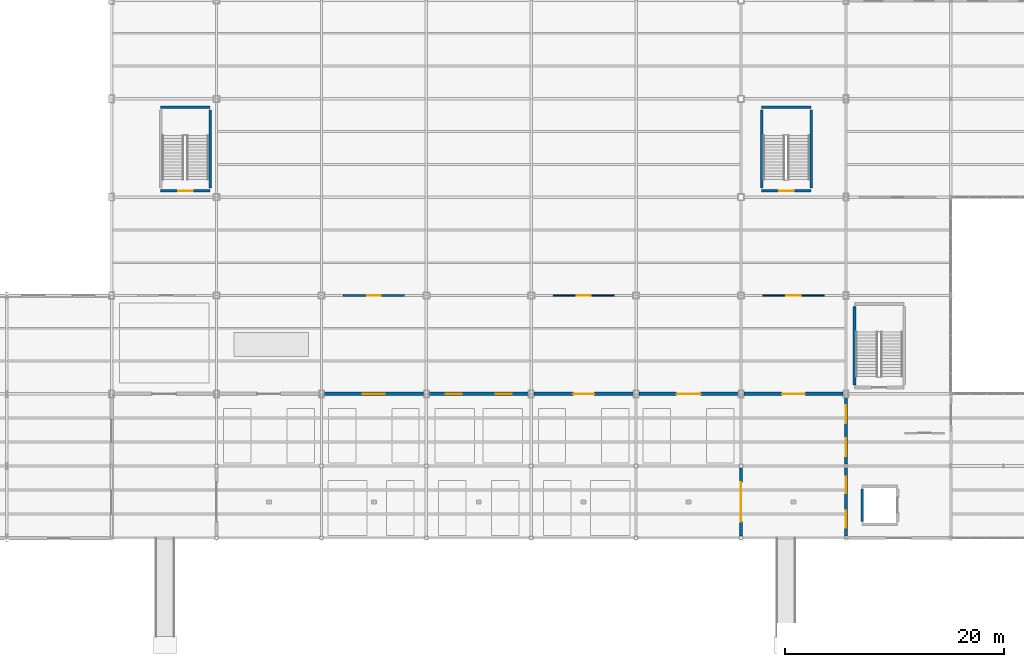
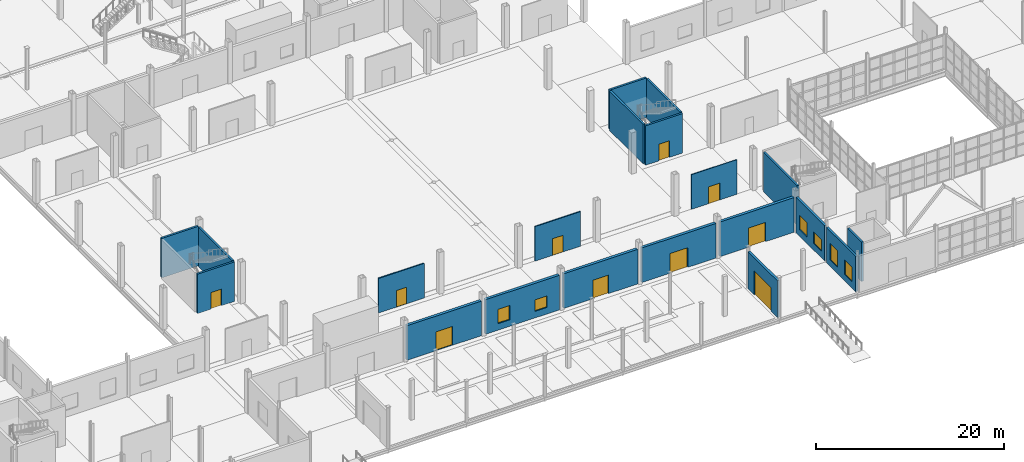
# One storey, part 68 of 85: 20 walls, 10 doors, 6 windows, 16 openings.
"""IFC4 building model written with IfcOpenShell, lengths in metres."""

from ifc_helpers import new_model, si_unit, direction, frame, frame_2d, origin, place, context, subcontext, project, spatial, rectangle, extrude, material, layer, layer_set, type_object, element, fill, save


model = new_model("IFC4")

# Units and contexts
model_context = context("Model", 3, precision=1e-05, world=origin(), true_north=direction((0.0, 1.0)))
body_context = subcontext(model_context, "Body", "Model", "MODEL_VIEW")
ifc_project = project(units=[si_unit("LENGTHUNIT", "METRE"), si_unit("AREAUNIT", "SQUARE_METRE"), si_unit("VOLUMEUNIT", "CUBIC_METRE"), si_unit("PLANEANGLEUNIT", "RADIAN"), si_unit("MASSUNIT", "GRAM", prefix="KILO")], contexts=[model_context])

# Site, building, storey
site_placement = place(None, origin())
site = spatial("IfcSite", under=ifc_project, at=site_placement, CompositionType="ELEMENT")
building_placement = place(site_placement, origin())
building = spatial("IfcBuilding", under=site, at=building_placement, Name="Zarnetskaya Central Station", CompositionType="ELEMENT")
storey_placement = place(building_placement, origin())
storey = spatial("IfcBuildingStorey", under=building, at=storey_placement, Name="L00", CompositionType="ELEMENT", Elevation=0.0)

# Wall, opening, door
ifc_material_1 = material(Name="Gypsum acoustic partition")
ifc_layer_1 = layer(ifc_material_1, 0.14501953125, Name="Gypsum acoustic partition")
ifc_layer_set_1 = layer_set([ifc_layer_1], Name="Gypsum acoustic partition")
wall_type_1 = type_object("IfcWallType", Name="PART-HALL-145", PredefinedType="PARTITIONING", material=ifc_layer_set_1)
wall_1_placement = place(storey_placement, frame((78.800048828125, 22.199951171875, 0.0), z_axis=(0.0, 0.0, 1.0), x_axis=(1.0, 0.0, 0.0)))
wall_1 = element("IfcWall", 1, at=wall_1_placement, inside=storey, type_object=wall_type_1, Name="Interior partition IPRT-L00-0384", PredefinedType="PARTITIONING", context=body_context, shape_type="SweptSolid", body=[
    extrude(rectangle(XDim=5.599853515625, YDim=0.14501953125, at=frame_2d((2.7998046875, 0.0))), origin(), (0.0, 0.0, 1.0), 4.489990234375),
])
opening_1_placement = place(wall_1_placement, frame((2.175048828125, 0.0, 0.0)))
opening_1 = element("IfcOpeningElement", 2, at=opening_1_placement, cuts=wall_1, Name="Opening DR-11", PredefinedType="OPENING", context=body_context, shape_type="SweptSolid", body=[
    extrude(rectangle(XDim=1.25, YDim=2.159912109375, at=frame_2d((0.625, 1.080078125))), frame((0.0, 0.08251953125, 0.0), z_axis=(0.0, -1.0, 0.0), x_axis=(1.0, 0.0, 0.0)), (0.0, 0.0, 1.0), 0.1650390625),
])
ifc_material_2 = material(Name="Anodised aluminium", Category="aluminium")
door_type_1 = type_object("IfcDoorType", Name="DR-INT-10", OperationType="NOTDEFINED", PredefinedType="DOOR", material=ifc_material_2)
door_1_placement = place(opening_1_placement, origin())
door_1 = element("IfcDoor", 3, at=door_1_placement, inside=storey, type_object=door_type_1, Name="South Eaves Intercity Ticket Hall door", OperationType="SINGLE_SWING_RIGHT", OverallHeight=2.159912109375, OverallWidth=1.25, PredefinedType="DOOR", context=body_context, shape_type="SweptSolid", body=[
    extrude(rectangle(XDim=1.25, YDim=2.159912109375, at=frame_2d((0.625, 1.080078125))), frame((0.0, 0.02490234375, 0.0), z_axis=(0.0, -1.0, 0.0), x_axis=(1.0, 0.0, 0.0)), (0.0, 0.0, 1.0), 0.050048828125),
])
fill(opening_1, door_1)

ifc_material_3 = material(Name="Gypsum stud partition")
ifc_layer_2 = layer(ifc_material_3, 0.10009765625, Name="Gypsum stud partition")
ifc_layer_set_2 = layer_set([ifc_layer_2], Name="Gypsum stud partition")
wall_type_2 = type_object("IfcWallType", Name="PART-LGT-100", PredefinedType="PARTITIONING", material=ifc_layer_set_2)
wall_2_placement = place(storey_placement, frame((117.199951171875, 22.199951171875, 0.0), z_axis=(0.0, 0.0, 1.0), x_axis=(1.0, 0.0, 0.0)))
wall_2 = element("IfcWall", 4, at=wall_2_placement, inside=storey, type_object=wall_type_2, Name="Interior partition IPRT-L00-0386", PredefinedType="PARTITIONING", context=body_context, shape_type="SweptSolid", body=[
    extrude(rectangle(XDim=5.60009765625, YDim=0.10009765625, at=frame_2d((2.800048828125, 0.0))), origin(), (0.0, 0.0, 1.0), 4.489990234375),
])
opening_2_placement = place(wall_2_placement, frame((2.1201171875, 0.0, 0.0)))
opening_2 = element("IfcOpeningElement", 5, at=opening_2_placement, cuts=wall_2, Name="Opening DR-08", PredefinedType="OPENING", context=body_context, shape_type="SweptSolid", body=[
    extrude(rectangle(XDim=1.360107421875, YDim=2.179931640625, at=frame_2d((0.68017578125, 1.08984375))), frame((0.0, 0.06005859375, 0.0), z_axis=(0.0, -1.0, 0.0), x_axis=(1.0, 0.0, 0.0)), (0.0, 0.0, 1.0), 0.1201171875),
])
door_type_2 = type_object("IfcDoorType", Name="DR-INT-12", OperationType="NOTDEFINED", PredefinedType="DOOR", material=ifc_material_2)
door_2_placement = place(opening_2_placement, origin())
door_2 = element("IfcDoor", 6, at=door_2_placement, inside=storey, type_object=door_type_2, Name="South Eaves Suburban Ticket Counters door", OperationType="SINGLE_SWING_RIGHT", OverallHeight=2.179931640625, OverallWidth=1.360107421875, PredefinedType="DOOR", context=body_context, shape_type="SweptSolid", body=[
    extrude(rectangle(XDim=1.360107421875, YDim=2.179931640625, at=frame_2d((0.68017578125, 1.08984375))), frame((0.0, 0.02490234375, 0.0), z_axis=(0.0, -1.0, 0.0), x_axis=(1.0, 0.0, 0.0)), (0.0, 0.0, 1.0), 0.050048828125),
])
fill(opening_2, door_2)

ifc_layer_3 = layer(ifc_material_1, 0.1298828125, Name="Gypsum acoustic partition")
ifc_layer_set_3 = layer_set([ifc_layer_3], Name="Gypsum acoustic partition")
wall_type_3 = type_object("IfcWallType", Name="PART-OFF-130", PredefinedType="PARTITIONING", material=ifc_layer_set_3)
wall_3_placement = place(storey_placement, frame((98.0, 22.199951171875, 0.0), z_axis=(0.0, 0.0, 1.0), x_axis=(1.0, 0.0, 0.0)))
wall_3 = element("IfcWall", 7, at=wall_3_placement, inside=storey, type_object=wall_type_3, Name="Interior partition IPRT-L00-0385", PredefinedType="PARTITIONING", context=body_context, shape_type="SweptSolid", body=[
    extrude(rectangle(XDim=5.60009765625, YDim=0.1298828125, at=frame_2d((2.800048828125, 0.0))), origin(), (0.0, 0.0, 1.0), 4.489990234375),
])
opening_3_placement = place(wall_3_placement, frame((2.14990234375, 0.0, 0.0)))
opening_3 = element("IfcOpeningElement", 8, at=opening_3_placement, cuts=wall_3, Name="Opening DR-14", PredefinedType="OPENING", context=body_context, shape_type="SweptSolid", body=[
    extrude(rectangle(XDim=1.300048828125, YDim=2.159912109375, at=frame_2d((0.64990234375, 1.080078125))), frame((0.0, 0.074951171875, 0.0), z_axis=(0.0, -1.0, 0.0), x_axis=(1.0, 0.0, 0.0)), (0.0, 0.0, 1.0), 0.14990234375),
])
door_type_3 = type_object("IfcDoorType", Name="DR-INT-11", OperationType="NOTDEFINED", PredefinedType="DOOR", material=ifc_material_2)
door_3_placement = place(opening_3_placement, origin())
door_3 = element("IfcDoor", 9, at=door_3_placement, inside=storey, type_object=door_type_3, Name="South Eaves Suburban Ticket Hall door", OperationType="SINGLE_SWING_LEFT", OverallHeight=2.159912109375, OverallWidth=1.300048828125, PredefinedType="DOOR", context=body_context, shape_type="SweptSolid", body=[
    extrude(rectangle(XDim=1.300048828125, YDim=2.159912109375, at=frame_2d((0.64990234375, 1.080078125))), frame((0.0, 0.02490234375, 0.0), z_axis=(0.0, -1.0, 0.0), x_axis=(1.0, 0.0, 0.0)), (0.0, 0.0, 1.0), 0.050048828125),
])
fill(opening_3, door_3)

ifc_material_4 = material(Name="Precast concrete C40/50", Category="concrete")
ifc_layer_4 = layer(ifc_material_4, 0.340087890625, Name="Precast concrete C40/50", Category="concrete")
ifc_layer_set_4 = layer_set([ifc_layer_4], Name="Precast concrete C40/50")
wall_type_4 = type_object("IfcWallType", Name="WALL-EAVE-340", PredefinedType="SOLIDWALL", material=ifc_layer_set_4)
wall_4_placement = place(storey_placement, frame((86.14990234375, 13.199951171875, 0.0), z_axis=(0.0, 0.0, 1.0), x_axis=(-1.0, 0.0, 0.0)))
wall_4 = element("IfcWall", 10, at=wall_4_placement, inside=storey, type_object=wall_type_4, Name="Exterior precast wall EW-L00-862-132-770-132", PredefinedType="SOLIDWALL", context=body_context, shape_type="SweptSolid", body=[
    extrude(rectangle(XDim=9.099853515625, YDim=0.340087890625, at=frame_2d((4.5498046875, 0.0))), origin(), (0.0, 0.0, 1.0), 4.489990234375),
])
opening_4_placement = place(wall_4_placement, frame((3.550048828125, 0.0, 0.0)))
opening_4 = element("IfcOpeningElement", 11, at=opening_4_placement, cuts=wall_4, Name="Opening ED-03", PredefinedType="OPENING", context=body_context, shape_type="SweptSolid", body=[
    extrude(rectangle(XDim=2.0, YDim=2.449951171875, at=frame_2d((1.0, 1.22509765625))), frame((0.0, 0.18017578125, 0.0), z_axis=(0.0, -1.0, 0.0), x_axis=(1.0, 0.0, 0.0)), (0.0, 0.0, 1.0), 0.360107421875),
])
door_type_4 = type_object("IfcDoorType", Name="DR-EXT-200x245", OperationType="NOTDEFINED", PredefinedType="DOOR", material=ifc_material_2)
door_4_placement = place(opening_4_placement, origin())
door_4 = element("IfcDoor", 12, at=door_4_placement, inside=storey, type_object=door_type_4, Name="Pedestrian final exit door ED-13", OperationType="DOUBLE_DOOR_SINGLE_SWING", OverallHeight=2.449951171875, OverallWidth=2.0, PredefinedType="DOOR", context=body_context, shape_type="SweptSolid", body=[
    extrude(rectangle(XDim=2.0, YDim=2.449951171875, at=frame_2d((1.0, 1.22509765625))), frame((0.0, 0.02490234375, 0.0), z_axis=(0.0, -1.0, 0.0), x_axis=(1.0, 0.0, 0.0)), (0.0, 0.0, 1.0), 0.050048828125),
])
fill(opening_4, door_4)

# Wall, openings, windows
wall_5_placement = place(storey_placement, frame((95.75, 13.199951171875, 0.0), z_axis=(0.0, 0.0, 1.0), x_axis=(-1.0, 0.0, 0.0)))
wall_5 = element("IfcWall", 13, at=wall_5_placement, inside=storey, type_object=wall_type_4, Name="Exterior precast wall EW-L00-958-132-866-132", PredefinedType="SOLIDWALL", context=body_context, shape_type="SweptSolid", body=[
    extrude(rectangle(XDim=9.10009765625, YDim=0.340087890625, at=frame_2d((4.550048828125, 0.0))), origin(), (0.0, 0.0, 1.0), 4.489990234375),
])
opening_5_placement = place(wall_5_placement, frame((1.550048828125, 0.0, 0.85009765625)))
opening_5 = element("IfcOpeningElement", 14, at=opening_5_placement, cuts=wall_5, Name="Opening WN-44", PredefinedType="OPENING", context=body_context, shape_type="SweptSolid", body=[
    extrude(rectangle(XDim=1.449951171875, YDim=1.5, at=frame_2d((0.72509765625, 0.75))), frame((0.0, 0.18017578125, 0.0), z_axis=(0.0, -1.0, 0.0), x_axis=(1.0, 0.0, 0.0)), (0.0, 0.0, 1.0), 0.360107421875),
])
opening_6_placement = place(wall_5_placement, frame((6.10009765625, 0.0, 0.85009765625)))
opening_6 = element("IfcOpeningElement", 15, at=opening_6_placement, cuts=wall_5, Name="Opening WN-53", PredefinedType="OPENING", context=body_context, shape_type="SweptSolid", body=[
    extrude(rectangle(XDim=1.449951171875, YDim=1.85009765625, at=frame_2d((0.72509765625, 0.925048828125))), frame((0.0, 0.18017578125, 0.0), z_axis=(0.0, -1.0, 0.0), x_axis=(1.0, 0.0, 0.0)), (0.0, 0.0, 1.0), 0.360107421875),
])
ifc_material_5 = material(Name="Low-E insulated glass", Category="glass")
window_type_1 = type_object("IfcWindowType", Name="WIN-10", PartitioningType="SINGLE_PANEL", PredefinedType="WINDOW", material=ifc_material_5)
window_1_placement = place(opening_5_placement, origin())
window_1 = element("IfcWindow", 16, at=window_1_placement, inside=storey, type_object=window_type_1, Name="Facade window L00-0118", OverallHeight=1.5, OverallWidth=1.449951171875, PartitioningType="SINGLE_PANEL", PredefinedType="WINDOW", context=body_context, shape_type="SweptSolid", body=[
    extrude(rectangle(XDim=1.449951171875, YDim=1.5, at=frame_2d((0.72509765625, 0.75))), frame((0.0, 0.030029296875, 0.0), z_axis=(0.0, -1.0, 0.0), x_axis=(1.0, 0.0, 0.0)), (0.0, 0.0, 1.0), 0.06005859375),
])
fill(opening_5, window_1)
window_type_2 = type_object("IfcWindowType", Name="WIN-11", PartitioningType="SINGLE_PANEL", PredefinedType="WINDOW", material=ifc_material_5)
window_2_placement = place(opening_6_placement, origin())
window_2 = element("IfcWindow", 17, at=window_2_placement, inside=storey, type_object=window_type_2, Name="Facade window L00-0119", OverallHeight=1.85009765625, OverallWidth=1.449951171875, PartitioningType="SINGLE_PANEL", PredefinedType="WINDOW", context=body_context, shape_type="SweptSolid", body=[
    extrude(rectangle(XDim=1.449951171875, YDim=1.85009765625, at=frame_2d((0.72509765625, 0.925048828125))), frame((0.0, 0.030029296875, 0.0), z_axis=(0.0, -1.0, 0.0), x_axis=(1.0, 0.0, 0.0)), (0.0, 0.0, 1.0), 0.06005859375),
])
fill(opening_6, window_2)

# Wall, opening, door
wall_6_placement = place(storey_placement, frame((105.35009765625, 13.199951171875, 0.0), z_axis=(0.0, 0.0, 1.0), x_axis=(-1.0, 0.0, 0.0)))
wall_6 = element("IfcWall", 18, at=wall_6_placement, inside=storey, type_object=wall_type_4, Name="Exterior precast wall EW-L00-1054-132-962-132", PredefinedType="SOLIDWALL", context=body_context, shape_type="SweptSolid", body=[
    extrude(rectangle(XDim=9.10009765625, YDim=0.340087890625, at=frame_2d((4.550048828125, 0.0))), origin(), (0.0, 0.0, 1.0), 4.489990234375),
])
opening_7_placement = place(wall_6_placement, frame((3.60009765625, 0.0, 0.0)))
opening_7 = element("IfcOpeningElement", 19, at=opening_7_placement, cuts=wall_6, Name="Opening ED-05", PredefinedType="OPENING", context=body_context, shape_type="SweptSolid", body=[
    extrude(rectangle(XDim=1.89990234375, YDim=2.39990234375, at=frame_2d((0.949951171875, 1.199951171875))), frame((0.0, 0.18017578125, 0.0), z_axis=(0.0, -1.0, 0.0), x_axis=(1.0, 0.0, 0.0)), (0.0, 0.0, 1.0), 0.360107421875),
])
door_type_5 = type_object("IfcDoorType", Name="DR-EXT-190x240", OperationType="NOTDEFINED", PredefinedType="DOOR", material=ifc_material_2)
door_5_placement = place(opening_7_placement, origin())
door_5 = element("IfcDoor", 20, at=door_5_placement, inside=storey, type_object=door_type_5, Name="Pedestrian final exit door ED-15", OperationType="DOUBLE_DOOR_SINGLE_SWING", OverallHeight=2.39990234375, OverallWidth=1.89990234375, PredefinedType="DOOR", context=body_context, shape_type="SweptSolid", body=[
    extrude(rectangle(XDim=1.89990234375, YDim=2.39990234375, at=frame_2d((0.949951171875, 1.199951171875))), frame((0.0, 0.02490234375, 0.0), z_axis=(0.0, -1.0, 0.0), x_axis=(1.0, 0.0, 0.0)), (0.0, 0.0, 1.0), 0.050048828125),
])
fill(opening_7, door_5)

wall_7_placement = place(storey_placement, frame((114.949951171875, 13.199951171875, 0.0), z_axis=(0.0, 0.0, 1.0), x_axis=(-1.0, 0.0, 0.0)))
wall_7 = element("IfcWall", 21, at=wall_7_placement, inside=storey, type_object=wall_type_4, Name="Exterior precast wall EW-L00-1150-132-1058-132", PredefinedType="SOLIDWALL", context=body_context, shape_type="SweptSolid", body=[
    extrude(rectangle(XDim=9.099853515625, YDim=0.340087890625, at=frame_2d((4.5498046875, 0.0))), origin(), (0.0, 0.0, 1.0), 4.489990234375),
])
opening_8_placement = place(wall_7_placement, frame((3.449951171875, 0.0, 0.0)))
opening_8 = element("IfcOpeningElement", 22, at=opening_8_placement, cuts=wall_7, Name="Opening ED-02", PredefinedType="OPENING", context=body_context, shape_type="SweptSolid", body=[
    extrude(rectangle(XDim=2.199951171875, YDim=2.550048828125, at=frame_2d((1.10009765625, 1.27490234375))), frame((0.0, 0.18017578125, 0.0), z_axis=(0.0, -1.0, 0.0), x_axis=(1.0, 0.0, 0.0)), (0.0, 0.0, 1.0), 0.360107421875),
])
door_type_6 = type_object("IfcDoorType", Name="DR-EXT-220x255", OperationType="NOTDEFINED", PredefinedType="DOOR", material=ifc_material_2)
door_6_placement = place(opening_8_placement, origin())
door_6 = element("IfcDoor", 23, at=door_6_placement, inside=storey, type_object=door_type_6, Name="Pedestrian final exit door ED-17", OperationType="DOUBLE_DOOR_SINGLE_SWING", OverallHeight=2.550048828125, OverallWidth=2.199951171875, PredefinedType="DOOR", context=body_context, shape_type="SweptSolid", body=[
    extrude(rectangle(XDim=2.199951171875, YDim=2.550048828125, at=frame_2d((1.10009765625, 1.27490234375))), frame((0.0, 0.02490234375, 0.0), z_axis=(0.0, -1.0, 0.0), x_axis=(1.0, 0.0, 0.0)), (0.0, 0.0, 1.0), 0.050048828125),
])
fill(opening_8, door_6)

wall_8_placement = place(storey_placement, frame((124.550048828125, 13.199951171875, 0.0), z_axis=(0.0, 0.0, 1.0), x_axis=(-1.0, 0.0, 0.0)))
wall_8 = element("IfcWall", 24, at=wall_8_placement, inside=storey, type_object=wall_type_4, Name="Exterior precast wall EW-L00-1246-132-1154-132", PredefinedType="SOLIDWALL", context=body_context, shape_type="SweptSolid", body=[
    extrude(rectangle(XDim=9.10009765625, YDim=0.340087890625, at=frame_2d((4.550048828125, 0.0))), origin(), (0.0, 0.0, 1.0), 4.489990234375),
])
opening_9_placement = place(wall_8_placement, frame((3.5, 0.0, 0.0)))
opening_9 = element("IfcOpeningElement", 25, at=opening_9_placement, cuts=wall_8, Name="Opening ED-10", PredefinedType="OPENING", context=body_context, shape_type="SweptSolid", body=[
    extrude(rectangle(XDim=2.10009765625, YDim=2.5, at=frame_2d((1.050048828125, 1.25))), frame((0.0, 0.18017578125, 0.0), z_axis=(0.0, -1.0, 0.0), x_axis=(1.0, 0.0, 0.0)), (0.0, 0.0, 1.0), 0.360107421875),
])
door_type_7 = type_object("IfcDoorType", Name="DR-EXT-210x250", OperationType="NOTDEFINED", PredefinedType="DOOR", material=ifc_material_2)
door_7_placement = place(opening_9_placement, origin())
door_7 = element("IfcDoor", 26, at=door_7_placement, inside=storey, type_object=door_type_7, Name="Pedestrian final exit door ED-19", OperationType="DOUBLE_DOOR_SINGLE_SWING", OverallHeight=2.5, OverallWidth=2.10009765625, PredefinedType="DOOR", context=body_context, shape_type="SweptSolid", body=[
    extrude(rectangle(XDim=2.10009765625, YDim=2.5, at=frame_2d((1.050048828125, 1.25))), frame((0.0, 0.02490234375, 0.0), z_axis=(0.0, -1.0, 0.0), x_axis=(1.0, 0.0, 0.0)), (0.0, 0.0, 1.0), 0.050048828125),
])
fill(opening_9, door_7)

ifc_layer_5 = layer(ifc_material_4, 0.280029296875, Name="Precast concrete C40/50", Category="concrete")
ifc_layer_set_5 = layer_set([ifc_layer_5], Name="Precast concrete C40/50")
wall_type_5 = type_object("IfcWallType", Name="WALL-EXT-280", PredefinedType="SOLIDWALL", material=ifc_layer_set_5)
wall_9_placement = place(storey_placement, frame((115.199951171875, 6.422119140625, 0.0), z_axis=(0.0, 0.0, 1.0), x_axis=(0.0, -1.0, 0.0)))
wall_9 = element("IfcWall", 27, at=wall_9_placement, inside=storey, type_object=wall_type_5, Name="Exterior precast wall EW-L00-1152-64-1152-2", PredefinedType="SOLIDWALL", context=body_context, shape_type="SweptSolid", body=[
    extrude(rectangle(XDim=6.244384765625, YDim=0.280029296875, at=frame_2d((3.1220703125, 0.0))), origin(), (0.0, 0.0, 1.0), 4.800048828125),
])
opening_10_placement = place(wall_9_placement, frame((1.322265625, 0.0, 0.0)))
opening_10 = element("IfcOpeningElement", 28, at=opening_10_placement, cuts=wall_9, Name="Opening ED-06", PredefinedType="OPENING", context=body_context, shape_type="SweptSolid", body=[
    extrude(rectangle(XDim=3.60009765625, YDim=3.10009765625, at=frame_2d((1.800048828125, 1.550048828125))), frame((0.0, 0.14990234375, 0.0), z_axis=(0.0, -1.0, 0.0), x_axis=(1.0, 0.0, 0.0)), (0.0, 0.0, 1.0), 0.300048828125),
])
door_type_8 = type_object("IfcDoorType", Name="DR-VEH-GATE", OperationType="NOTDEFINED", PredefinedType="DOOR", material=ifc_material_2)
door_8_placement = place(opening_10_placement, origin())
door_8 = element("IfcDoor", 29, at=door_8_placement, inside=storey, type_object=door_type_8, Name="Forecourt vehicle portal gate VG-02", OperationType="DOUBLE_DOOR_SLIDING", OverallHeight=3.10009765625, OverallWidth=3.60009765625, PredefinedType="DOOR", context=body_context, shape_type="SweptSolid", body=[
    extrude(rectangle(XDim=3.60009765625, YDim=3.10009765625, at=frame_2d((1.800048828125, 1.550048828125))), frame((0.0, 0.02490234375, 0.0), z_axis=(0.0, -1.0, 0.0), x_axis=(1.0, 0.0, 0.0)), (0.0, 0.0, 1.0), 0.050048828125),
])
fill(opening_10, door_8)

# Wall, openings, windows
ifc_layer_6 = layer(ifc_material_4, 0.260009765625, Name="Precast concrete C40/50", Category="concrete")
ifc_layer_set_6 = layer_set([ifc_layer_6], Name="Precast concrete C40/50")
wall_type_6 = type_object("IfcWallType", Name="WALL-PAV-260", PredefinedType="SOLIDWALL", material=ifc_layer_set_6)
wall_10_placement = place(storey_placement, frame((124.800048828125, 0.177734375, 0.0), z_axis=(0.0, 0.0, 1.0), x_axis=(0.0, 1.0, 0.0)))
wall_10 = element("IfcWall", 30, at=wall_10_placement, inside=storey, type_object=wall_type_6, Name="Exterior precast wall EW-L00-1248-2-1248-64", PredefinedType="SOLIDWALL", context=body_context, shape_type="SweptSolid", body=[
    extrude(rectangle(XDim=6.244384765625, YDim=0.260009765625, at=frame_2d((3.1220703125, 0.0))), origin(), (0.0, 0.0, 1.0), 4.590087890625),
])
opening_11_placement = place(wall_10_placement, frame((0.7861328125, 0.0, 0.85009765625)))
opening_11 = element("IfcOpeningElement", 31, at=opening_11_placement, cuts=wall_10, Name="Opening WN-23", PredefinedType="OPENING", context=body_context, shape_type="SweptSolid", body=[
    extrude(rectangle(XDim=1.550048828125, YDim=1.85009765625, at=frame_2d((0.77490234375, 0.925048828125))), frame((0.0, 0.14013671875, 0.0), z_axis=(0.0, -1.0, 0.0), x_axis=(1.0, 0.0, 0.0)), (0.0, 0.0, 1.0), 0.280029296875),
])
opening_12_placement = place(wall_10_placement, frame((3.908203125, 0.0, 0.85009765625)))
opening_12 = element("IfcOpeningElement", 32, at=opening_12_placement, cuts=wall_10, Name="Opening WN-16", PredefinedType="OPENING", context=body_context, shape_type="SweptSolid", body=[
    extrude(rectangle(XDim=1.550048828125, YDim=2.14990234375, at=frame_2d((0.77490234375, 1.074951171875))), frame((0.0, 0.14013671875, 0.0), z_axis=(0.0, -1.0, 0.0), x_axis=(1.0, 0.0, 0.0)), (0.0, 0.0, 1.0), 0.280029296875),
])
window_type_3 = type_object("IfcWindowType", Name="WIN-14", PartitioningType="SINGLE_PANEL", PredefinedType="WINDOW", material=ifc_material_5)
window_3_placement = place(opening_11_placement, origin())
window_3 = element("IfcWindow", 33, at=window_3_placement, inside=storey, type_object=window_type_3, Name="Facade window L00-0122", OverallHeight=1.85009765625, OverallWidth=1.550048828125, PartitioningType="SINGLE_PANEL", PredefinedType="WINDOW", context=body_context, shape_type="SweptSolid", body=[
    extrude(rectangle(XDim=1.550048828125, YDim=1.85009765625, at=frame_2d((0.77490234375, 0.925048828125))), frame((0.0, 0.030029296875, 0.0), z_axis=(0.0, -1.0, 0.0), x_axis=(1.0, 0.0, 0.0)), (0.0, 0.0, 1.0), 0.06005859375),
])
fill(opening_11, window_3)
window_type_4 = type_object("IfcWindowType", Name="WIN-15", PartitioningType="SINGLE_PANEL", PredefinedType="WINDOW", material=ifc_material_5)
window_4_placement = place(opening_12_placement, origin())
window_4 = element("IfcWindow", 34, at=window_4_placement, inside=storey, type_object=window_type_4, Name="Facade window L00-0123", OverallHeight=2.14990234375, OverallWidth=1.550048828125, PartitioningType="SINGLE_PANEL", PredefinedType="WINDOW", context=body_context, shape_type="SweptSolid", body=[
    extrude(rectangle(XDim=1.550048828125, YDim=2.14990234375, at=frame_2d((0.77490234375, 1.074951171875))), frame((0.0, 0.030029296875, 0.0), z_axis=(0.0, -1.0, 0.0), x_axis=(1.0, 0.0, 0.0)), (0.0, 0.0, 1.0), 0.06005859375),
])
fill(opening_12, window_4)

wall_11_placement = place(storey_placement, frame((124.800048828125, 6.77783203125, 0.0), z_axis=(0.0, 0.0, 1.0), x_axis=(0.0, 1.0, 0.0)))
wall_11 = element("IfcWall", 35, at=wall_11_placement, inside=storey, type_object=wall_type_6, Name="Exterior precast wall EW-L00-1248-68-1248-128", PredefinedType="SOLIDWALL", context=body_context, shape_type="SweptSolid", body=[
    extrude(rectangle(XDim=6.072265625, YDim=0.260009765625, at=frame_2d((3.0361328125, 0.0))), origin(), (0.0, 0.0, 1.0), 4.590087890625),
])
opening_13_placement = place(wall_11_placement, frame((0.693115234375, 0.0, 0.85009765625)))
opening_13 = element("IfcOpeningElement", 36, at=opening_13_placement, cuts=wall_11, Name="Opening WN-34", PredefinedType="OPENING", context=body_context, shape_type="SweptSolid", body=[
    extrude(rectangle(XDim=1.64990234375, YDim=1.5, at=frame_2d((0.824951171875, 0.75))), frame((0.0, 0.14013671875, 0.0), z_axis=(0.0, -1.0, 0.0), x_axis=(1.0, 0.0, 0.0)), (0.0, 0.0, 1.0), 0.280029296875),
])
opening_14_placement = place(wall_11_placement, frame((3.72900390625, 0.0, 0.85009765625)))
opening_14 = element("IfcOpeningElement", 37, at=opening_14_placement, cuts=wall_11, Name="Opening WN-09", PredefinedType="OPENING", context=body_context, shape_type="SweptSolid", body=[
    extrude(rectangle(XDim=1.64990234375, YDim=1.85009765625, at=frame_2d((0.824951171875, 0.925048828125))), frame((0.0, 0.14013671875, 0.0), z_axis=(0.0, -1.0, 0.0), x_axis=(1.0, 0.0, 0.0)), (0.0, 0.0, 1.0), 0.280029296875),
])
window_type_5 = type_object("IfcWindowType", Name="WIN-16", PartitioningType="SINGLE_PANEL", PredefinedType="WINDOW", material=ifc_material_5)
window_5_placement = place(opening_13_placement, origin())
window_5 = element("IfcWindow", 38, at=window_5_placement, inside=storey, type_object=window_type_5, Name="Facade window L00-0124", OverallHeight=1.5, OverallWidth=1.64990234375, PartitioningType="SINGLE_PANEL", PredefinedType="WINDOW", context=body_context, shape_type="SweptSolid", body=[
    extrude(rectangle(XDim=1.64990234375, YDim=1.5, at=frame_2d((0.824951171875, 0.75))), frame((0.0, 0.030029296875, 0.0), z_axis=(0.0, -1.0, 0.0), x_axis=(1.0, 0.0, 0.0)), (0.0, 0.0, 1.0), 0.06005859375),
])
fill(opening_13, window_5)
window_type_6 = type_object("IfcWindowType", Name="WIN-17", PartitioningType="SINGLE_PANEL", PredefinedType="WINDOW", material=ifc_material_5)
window_6_placement = place(opening_14_placement, origin())
window_6 = element("IfcWindow", 39, at=window_6_placement, inside=storey, type_object=window_type_6, Name="Facade window L00-0125", OverallHeight=1.85009765625, OverallWidth=1.64990234375, PartitioningType="SINGLE_PANEL", PredefinedType="WINDOW", context=body_context, shape_type="SweptSolid", body=[
    extrude(rectangle(XDim=1.64990234375, YDim=1.85009765625, at=frame_2d((0.824951171875, 0.925048828125))), frame((0.0, 0.030029296875, 0.0), z_axis=(0.0, -1.0, 0.0), x_axis=(1.0, 0.0, 0.0)), (0.0, 0.0, 1.0), 0.06005859375),
])
fill(opening_14, window_6)

# Wall
ifc_material_6 = material(Name="Concrete C35/45", Category="concrete")
ifc_layer_7 = layer(ifc_material_6, 0.239990234375, Name="Concrete C35/45", Category="concrete")
ifc_layer_set_7 = layer_set([ifc_layer_7], Name="Concrete C35/45")
wall_type_7 = type_object("IfcWallType", Name="WALL-SHFT-240", PredefinedType="SHEAR", material=ifc_layer_set_7)
wall_12_placement = place(storey_placement, frame((126.280029296875, 1.52001953125, 0.0), z_axis=(0.0, 0.0, 1.0), x_axis=(0.0, 1.0, 0.0)))
element("IfcWall", 40, at=wall_12_placement, inside=storey, type_object=wall_type_7, Name="Core shear wall WSHF-L00-0179", PredefinedType="SHEAR", context=body_context, shape_type="SweptSolid", body=[
    extrude(rectangle(XDim=2.9599609375, YDim=0.239990234375, at=frame_2d((1.47998046875, 0.0))), origin(), (0.0, 0.0, 1.0), 5.1201171875),
])

# Wall, opening, door
wall_13_placement = place(storey_placement, frame((66.6201171875, 31.780029296875, 0.0), z_axis=(0.0, 0.0, 1.0), x_axis=(-1.0, 0.0, 0.0)))
wall_13 = element("IfcWall", 41, at=wall_13_placement, inside=storey, type_object=wall_type_7, Name="Core shear wall WSTR-L00-0273", PredefinedType="SHEAR", context=body_context, shape_type="SweptSolid", body=[
    extrude(rectangle(XDim=4.5400390625, YDim=0.239990234375, at=frame_2d((2.27001953125, 0.0))), origin(), (0.0, 0.0, 1.0), 5.1201171875),
])
opening_15_placement = place(wall_13_placement, frame((1.610107421875, 0.0, 0.0)))
opening_15 = element("IfcOpeningElement", 42, at=opening_15_placement, cuts=wall_13, Name="Opening DR-FD60", PredefinedType="OPENING", context=body_context, shape_type="SweptSolid", body=[
    extrude(rectangle(XDim=1.320068359375, YDim=2.14990234375, at=frame_2d((0.66015625, 1.074951171875))), frame((0.0, 0.1298828125, 0.0), z_axis=(0.0, -1.0, 0.0), x_axis=(1.0, 0.0, 0.0)), (0.0, 0.0, 1.0), 0.260009765625),
])
door_type_9 = type_object("IfcDoorType", Name="DR-FIRE-STAIR", OperationType="NOTDEFINED", PredefinedType="DOOR", material=ifc_material_2)
door_9_placement = place(opening_15_placement, origin())
door_9 = element("IfcDoor", 43, at=door_9_placement, inside=storey, type_object=door_type_9, Name="Protected exit stair door ST-H1 L00", OperationType="SINGLE_SWING_LEFT", OverallHeight=2.14990234375, OverallWidth=1.320068359375, PredefinedType="DOOR", context=body_context, shape_type="SweptSolid", body=[
    extrude(rectangle(XDim=1.320068359375, YDim=2.14990234375, at=frame_2d((0.66015625, 1.074951171875))), frame((0.0, 0.02490234375, 0.0), z_axis=(0.0, -1.0, 0.0), x_axis=(1.0, 0.0, 0.0)), (0.0, 0.0, 1.0), 0.050048828125),
])
fill(opening_15, door_9)

# Walls
wall_14_placement = place(storey_placement, frame((62.080078125, 39.419921875, 0.0), z_axis=(0.0, 0.0, 1.0), x_axis=(1.0, 0.0, 0.0)))
element("IfcWall", 44, at=wall_14_placement, inside=storey, type_object=wall_type_7, Name="Core shear wall WSTR-L00-0274", PredefinedType="SHEAR", context=body_context, shape_type="SweptSolid", body=[
    extrude(rectangle(XDim=4.5400390625, YDim=0.239990234375, at=frame_2d((2.27001953125, 0.0))), origin(), (0.0, 0.0, 1.0), 5.1201171875),
])
for number, where, z_axis, x_axis, name in (
    (45, (66.6201171875, 39.179931640625, 0.0), (0.0, 0.0, 1.0), (0.0, -1.0, 0.0), "Core shear wall WSTR-L00-0276"),
    (46, (125.580078125, 14.02001953125, 0.0), (0.0, 0.0, 1.0), (0.0, 1.0, 0.0), "Core shear wall WSTR-L00-0291"),
):
    element("IfcWall", number, at=place(storey_placement, frame(where, z_axis=z_axis, x_axis=x_axis)), inside=storey, type_object=wall_type_7, Name=name, PredefinedType="SHEAR", context=body_context, shape_type="SweptSolid", body=[
        extrude(rectangle(XDim=7.159912109375, YDim=0.239990234375, at=frame_2d((3.580078125, 0.0))), origin(), (0.0, 0.0, 1.0), 5.1201171875),
    ])

# Wall, opening, door
wall_15_placement = place(storey_placement, frame((121.6201171875, 31.780029296875, 0.0), z_axis=(0.0, 0.0, 1.0), x_axis=(-1.0, 0.0, 0.0)))
wall_15 = element("IfcWall", 47, at=wall_15_placement, inside=storey, type_object=wall_type_7, Name="Core shear wall WSTR-L00-0333", PredefinedType="SHEAR", context=body_context, shape_type="SweptSolid", body=[
    extrude(rectangle(XDim=4.5400390625, YDim=0.239990234375, at=frame_2d((2.27001953125, 0.0))), origin(), (0.0, 0.0, 1.0), 5.1201171875),
])
opening_16_placement = place(wall_15_placement, frame((1.610107421875, 0.0, 0.0)))
opening_16 = element("IfcOpeningElement", 48, at=opening_16_placement, cuts=wall_15, Name="Opening DR-FD60", PredefinedType="OPENING", context=body_context, shape_type="SweptSolid", body=[
    extrude(rectangle(XDim=1.320068359375, YDim=2.14990234375, at=frame_2d((0.66015625, 1.074951171875))), frame((0.0, 0.1298828125, 0.0), z_axis=(0.0, -1.0, 0.0), x_axis=(1.0, 0.0, 0.0)), (0.0, 0.0, 1.0), 0.260009765625),
])
door_10_placement = place(opening_16_placement, origin())
door_10 = element("IfcDoor", 49, at=door_10_placement, inside=storey, type_object=door_type_9, Name="Protected exit stair door ST-E1 L00", OperationType="SINGLE_SWING_RIGHT", OverallHeight=2.14990234375, OverallWidth=1.320068359375, PredefinedType="DOOR", context=body_context, shape_type="SweptSolid", body=[
    extrude(rectangle(XDim=1.320068359375, YDim=2.14990234375, at=frame_2d((0.66015625, 1.074951171875))), frame((0.0, 0.02490234375, 0.0), z_axis=(0.0, -1.0, 0.0), x_axis=(1.0, 0.0, 0.0)), (0.0, 0.0, 1.0), 0.050048828125),
])
fill(opening_16, door_10)

# Walls
wall_16_placement = place(storey_placement, frame((117.080078125, 39.419921875, 0.0), z_axis=(0.0, 0.0, 1.0), x_axis=(1.0, 0.0, 0.0)))
element("IfcWall", 50, at=wall_16_placement, inside=storey, type_object=wall_type_7, Name="Core shear wall WSTR-L00-0334", PredefinedType="SHEAR", context=body_context, shape_type="SweptSolid", body=[
    extrude(rectangle(XDim=4.5400390625, YDim=0.239990234375, at=frame_2d((2.27001953125, 0.0))), origin(), (0.0, 0.0, 1.0), 5.1201171875),
])
for number, where, z_axis, x_axis, name in (
    (51, (117.080078125, 32.02001953125, 0.0), (0.0, 0.0, 1.0), (0.0, 1.0, 0.0), "Core shear wall WSTR-L00-0335"),
    (52, (121.6201171875, 39.179931640625, 0.0), (0.0, 0.0, 1.0), (0.0, -1.0, 0.0), "Core shear wall WSTR-L00-0336"),
):
    element("IfcWall", number, at=place(storey_placement, frame(where, z_axis=z_axis, x_axis=x_axis)), inside=storey, type_object=wall_type_7, Name=name, PredefinedType="SHEAR", context=body_context, shape_type="SweptSolid", body=[
        extrude(rectangle(XDim=7.159912109375, YDim=0.239990234375, at=frame_2d((3.580078125, 0.0))), origin(), (0.0, 0.0, 1.0), 5.1201171875),
    ])

save(model, "model.ifc")
